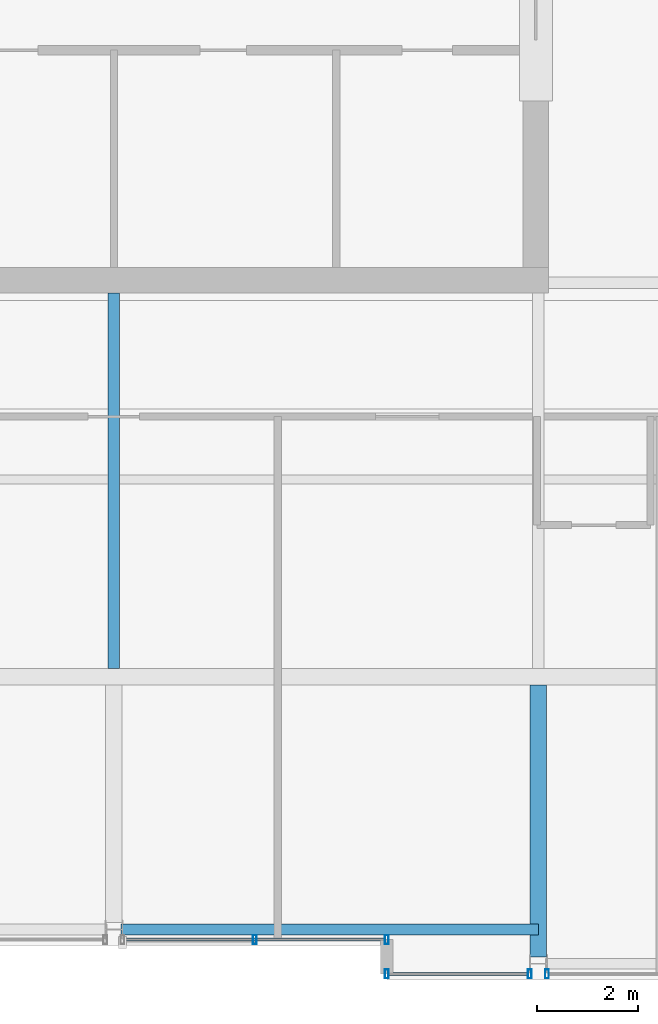
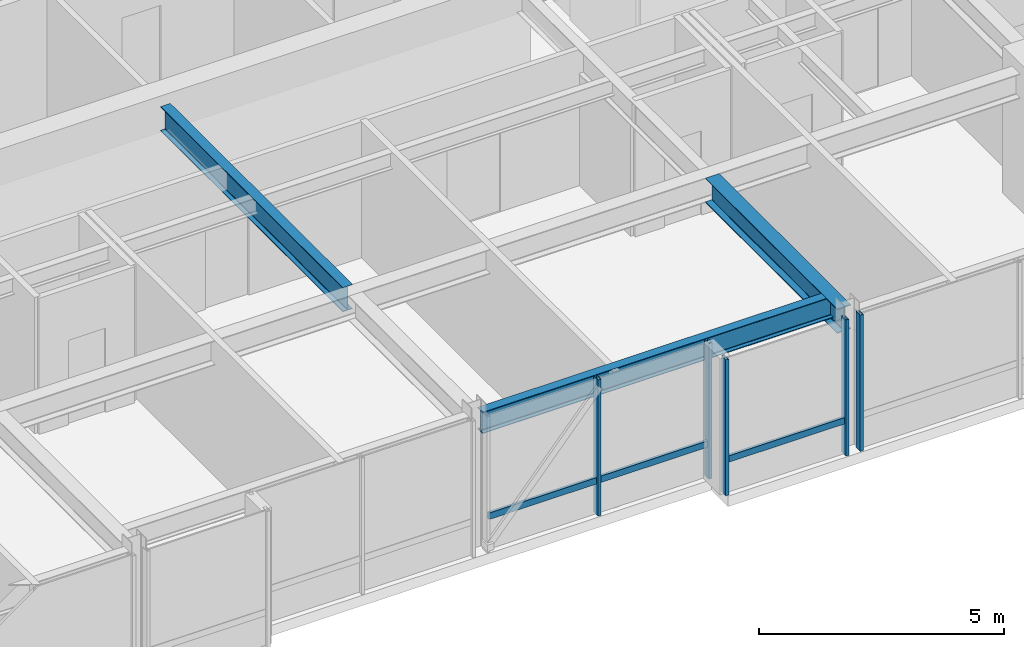
# One storey, part 10 of 34: 7 members, 3 beams, 3 elements without a shape of their own.
"""IFC4 building model written with IfcOpenShell, lengths in metres."""

from ifc_helpers import new_model, si_unit, direction, frame, origin, origin_2d, place, context, subcontext, project, spatial, hollow_rectangle, i_section, extrude, material, layer, layer_set, material_profile, profile_set, type_object, element, aggregate, save


model = new_model("IFC4")

# Units and contexts
model_context = context("Model", 3, precision=1e-05, world=origin(), true_north=direction((0.0, 1.0)))
body_context = subcontext(model_context, "Body", "Model", "MODEL_VIEW")
ifc_project = project(units=[si_unit("LENGTHUNIT", "METRE"), si_unit("AREAUNIT", "SQUARE_METRE"), si_unit("VOLUMEUNIT", "CUBIC_METRE"), si_unit("PLANEANGLEUNIT", "RADIAN"), si_unit("MASSUNIT", "GRAM", prefix="KILO")], contexts=[model_context])

# Site, building, storey
site_placement = place(None, origin())
site = spatial("IfcSite", under=ifc_project, at=site_placement, CompositionType="ELEMENT")
building_placement = place(site_placement, origin())
building = spatial("IfcBuilding", under=site, at=building_placement, Name="Drelvath Grand Hotel", CompositionType="ELEMENT")
storey_placement = place(building_placement, frame((0.0, 0.0, 272.300048828125)))
storey = spatial("IfcBuildingStorey", under=building, at=storey_placement, Name="L71", CompositionType="ELEMENT", Elevation=272.300048828125)

# Curtain wall, member
ifc_material_1 = material(Name="Platinum-Mist Anodised Aluminium Frame", Category="aluminium")
ifc_layer = layer(ifc_material_1, 0.199951171875)
ifc_layer_set = layer_set([ifc_layer], Name="Platinum-Mist Anodised Aluminium Frame")
curtain_wall_type = type_object("IfcCurtainWallType", Name="Stick Curtain Wall CW-05 Platinum Mist High-Rise", PredefinedType="NOTDEFINED", material=ifc_layer_set)
curtain_wall_1_placement = place(storey_placement, origin())
curtain_wall_1 = element("IfcCurtainWall", 1, at=curtain_wall_1_placement, inside=storey, type_object=curtain_wall_type, Name="L71 CW-05 Curtain Wall CW05-L71-SE1", PredefinedType="NOTDEFINED")
ifc_material_profile_1 = material_profile(ifc_material_1, hollow_rectangle(XDim=0.06494140625, YDim=0.159912109375, WallThickness=0.00390625, at=origin_2d()), Name="HSS160X65X4")
ifc_profile_set_1 = profile_set([ifc_material_profile_1], Name="Platinum-Mist Anodised Aluminium Frame")
member_type_1 = type_object("IfcMemberType", Name="Curtain Wall Horizontal Transom CW-05 HSS160X65X4", PredefinedType="USERDEFINED", material=ifc_profile_set_1)
member_1_placement = place(storey_placement, frame((8.18994140625, 4.919921875, 0.847412109375), z_axis=(-1.0, 0.0, 0.0), x_axis=(0.0, -1.0, 0.0)))
member_1 = element("IfcMember", 2, at=member_1_placement, type_object=member_type_1, Name="CW05-L71-SE1 Sill Transom", ObjectType="TRANSOM", PredefinedType="USERDEFINED", context=body_context, shape_type="SweptSolid", body=[
    extrude(hollow_rectangle(XDim=0.06494140625, YDim=0.159912109375, WallThickness=0.00390625, at=origin_2d()), origin(), (0.0, 0.0, 1.0), 2.75),
])

curtain_wall_2_placement = place(storey_placement, origin())
curtain_wall_2 = element("IfcCurtainWall", 3, at=curtain_wall_2_placement, inside=storey, type_object=curtain_wall_type, Name="L71 CW-05 Curtain Wall CW05-L71-SM2", PredefinedType="NOTDEFINED")
member_2_placement = place(storey_placement, frame((5.360107421875, 5.60009765625, 0.847412109375), z_axis=(-1.0, 0.0, 0.0), x_axis=(0.0, -1.0, 0.0)))
member_2 = element("IfcMember", 4, at=member_2_placement, type_object=member_type_1, Name="CW05-L71-SM2 Sill Transom", ObjectType="TRANSOM", PredefinedType="USERDEFINED", context=body_context, shape_type="SweptSolid", body=[
    extrude(hollow_rectangle(XDim=0.06494140625, YDim=0.159912109375, WallThickness=0.00390625, at=origin_2d()), origin(), (0.0, 0.0, 1.0), 5.14990234375),
])

# Member
ifc_material_profile_2 = material_profile(ifc_material_1, hollow_rectangle(XDim=0.074951171875, YDim=0.179931640625, WallThickness=0.0048828125, at=origin_2d()), Name="HSS180X75X5")
ifc_profile_set_2 = profile_set([ifc_material_profile_2], Name="Platinum-Mist Anodised Aluminium Frame")
member_type_2 = type_object("IfcMemberType", Name="Curtain Wall Vertical Mullion CW-05 HSS180X75X5", PredefinedType="MULLION", material=ifc_profile_set_2)
member_3_placement = place(storey_placement, frame((8.22998046875, 4.919921875, 0.0), z_axis=(0.0, 0.0, 1.0), x_axis=(1.0, 0.0, 0.0)))
member_3 = element("IfcMember", 5, at=member_3_placement, type_object=member_type_2, Name="CW05-L71-SE1 Mullion 1", PredefinedType="MULLION", context=body_context, shape_type="SweptSolid", body=[
    extrude(hollow_rectangle(XDim=0.074951171875, YDim=0.179931640625, WallThickness=0.0048828125, at=origin_2d()), origin(), (0.0, 0.0, 1.0), 3.389892578125),
])

member_4_placement = place(storey_placement, frame((5.39990234375, 4.919921875, 0.0), z_axis=(0.0, 0.0, 1.0), x_axis=(1.0, 0.0, 0.0)))
member_4 = element("IfcMember", 6, at=member_4_placement, type_object=member_type_2, Name="CW05-L71-SE1 Mullion 2", PredefinedType="MULLION", context=body_context, shape_type="SweptSolid", body=[
    extrude(hollow_rectangle(XDim=0.074951171875, YDim=0.179931640625, WallThickness=0.0048828125, at=origin_2d()), origin(), (0.0, 0.0, 1.0), 3.389892578125),
])

aggregate(curtain_wall_1, [member_3, member_4, member_1])

# Curtain wall, member
curtain_wall_3_placement = place(storey_placement, origin())
curtain_wall_3 = element("IfcCurtainWall", 7, at=curtain_wall_3_placement, inside=storey, type_object=curtain_wall_type, Name="L71 CW-05 Curtain Wall CW05-L71-SE2", PredefinedType="NOTDEFINED")
member_5_placement = place(storey_placement, frame((8.570068359375, 4.919921875, 0.0), z_axis=(0.0, 0.0, 1.0), x_axis=(1.0, 0.0, 0.0)))
member_5 = element("IfcMember", 8, at=member_5_placement, type_object=member_type_2, Name="CW05-L71-SE2 Mullion 3", PredefinedType="MULLION", context=body_context, shape_type="SweptSolid", body=[
    extrude(hollow_rectangle(XDim=0.074951171875, YDim=0.179931640625, WallThickness=0.0048828125, at=origin_2d()), origin(), (0.0, 0.0, 1.0), 3.389892578125),
])
aggregate(curtain_wall_3, [member_5])

# Member
member_6_placement = place(storey_placement, frame((5.39990234375, 5.60009765625, 0.0), z_axis=(0.0, 0.0, 1.0), x_axis=(1.0, 0.0, 0.0)))
member_6 = element("IfcMember", 9, at=member_6_placement, type_object=member_type_2, Name="CW05-L71-SM2 Mullion 1", PredefinedType="MULLION", context=body_context, shape_type="SweptSolid", body=[
    extrude(hollow_rectangle(XDim=0.074951171875, YDim=0.179931640625, WallThickness=0.0048828125, at=origin_2d()), origin(), (0.0, 0.0, 1.0), 3.389892578125),
])

member_7_placement = place(storey_placement, frame((2.78515625, 5.60009765625, 0.0), z_axis=(0.0, 0.0, 1.0), x_axis=(1.0, 0.0, 0.0)))
member_7 = element("IfcMember", 10, at=member_7_placement, type_object=member_type_2, Name="CW05-L71-SM2 Mullion 2", PredefinedType="MULLION", context=body_context, shape_type="SweptSolid", body=[
    extrude(hollow_rectangle(XDim=0.074951171875, YDim=0.179931640625, WallThickness=0.0048828125, at=origin_2d()), origin(), (0.0, 0.0, 1.0), 3.389892578125),
])

aggregate(curtain_wall_2, [member_6, member_7, member_2])

# Beams
ifc_material_2 = material(Name="Steel ASTM A992 Gr 50", Category="steel")
ifc_material_profile_3 = material_profile(ifc_material_2, i_section(OverallWidth=0.210205078125, OverallDepth=0.53662109375, WebThickness=0.010986328125, FlangeThickness=0.017333984375, FilletRadius=0.01806640625, at=origin_2d()), Name="W21X68")
ifc_profile_set_3 = profile_set([ifc_material_profile_3], Name="Steel ASTM A992 Gr 50")
beam_type_1 = type_object("IfcBeamType", Name="Perimeter Spandrel Beam W21X68", PredefinedType="SPANDREL", material=ifc_profile_set_3)
beam_1_placement = place(storey_placement, frame((0.139892578125, 5.800048828125, 3.12158203125), z_axis=(1.0, 0.0, 0.0), x_axis=(0.0, 1.0, 0.0)))
element("IfcBeam", 11, at=beam_1_placement, inside=storey, type_object=beam_type_1, Name="L71 Spandrel South Mid E", PredefinedType="SPANDREL", context=body_context, shape_type="SweptSolid", body=[
    extrude(i_section(OverallWidth=0.210205078125, OverallDepth=0.53662109375, WebThickness=0.010986328125, FlangeThickness=0.017333984375, FilletRadius=0.01806640625, at=origin_2d()), origin(), (0.0, 0.0, 1.0), 8.260009765625),
])
ifc_material_profile_4 = material_profile(ifc_material_2, i_section(OverallWidth=0.323974609375, OverallDepth=0.611083984375, WebThickness=0.0126953125, FlangeThickness=0.01904296875, FilletRadius=0.02197265625, at=origin_2d()), Name="W24X104")
ifc_profile_set_4 = profile_set([ifc_material_profile_4], Name="Steel ASTM A992 Gr 50")
beam_type_2 = type_object("IfcBeamType", Name="Primary Floor Girder W24X104", PredefinedType="BEAM", material=ifc_profile_set_4)
beam_2_placement = place(storey_placement, frame((8.39990234375, 5.260009765625, 3.08447265625), z_axis=(0.0, 1.0, 0.0), x_axis=(-1.0, 0.0, 0.0)))
element("IfcBeam", 12, at=beam_2_placement, inside=storey, type_object=beam_type_2, Name="L71 South Wing Girder 6", PredefinedType="BEAM", context=body_context, shape_type="SweptSolid", body=[
    extrude(i_section(OverallWidth=0.323974609375, OverallDepth=0.611083984375, WebThickness=0.0126953125, FlangeThickness=0.01904296875, FilletRadius=0.02197265625, at=origin_2d()), origin(), (0.0, 0.0, 1.0), 5.3779296875),
])
ifc_material_profile_5 = material_profile(ifc_material_2, i_section(OverallWidth=0.228271484375, OverallDepth=0.607666015625, WebThickness=0.01123046875, FlangeThickness=0.017333984375, FilletRadius=0.02001953125, at=origin_2d()), Name="W24X76")
ifc_profile_set_5 = profile_set([ifc_material_profile_5], Name="Steel ASTM A992 Gr 50")
beam_type_3 = type_object("IfcBeamType", Name="Primary Floor Girder W24X76", PredefinedType="BEAM", material=ifc_profile_set_5)
beam_3_placement = place(storey_placement, frame((0.0, 10.9619140625, 3.086181640625), z_axis=(0.0, 1.0, 0.0), x_axis=(-1.0, 0.0, 0.0)))
element("IfcBeam", 13, at=beam_3_placement, inside=storey, type_object=beam_type_3, Name="L71 South Core Tie 5", PredefinedType="BEAM", context=body_context, shape_type="SweptSolid", body=[
    extrude(i_section(OverallWidth=0.228271484375, OverallDepth=0.607666015625, WebThickness=0.01123046875, FlangeThickness=0.017333984375, FilletRadius=0.02001953125, at=origin_2d()), origin(), (0.0, 0.0, 1.0), 7.43798828125),
])

save(model, "model.ifc")
